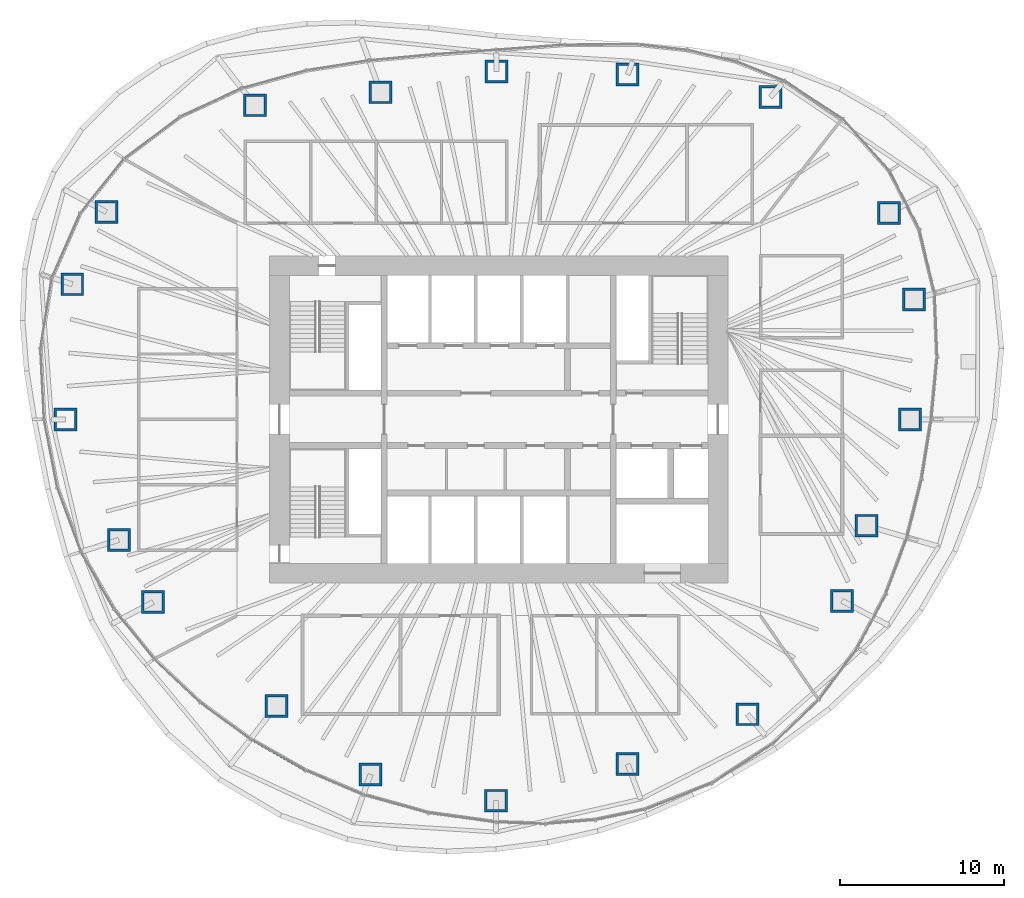
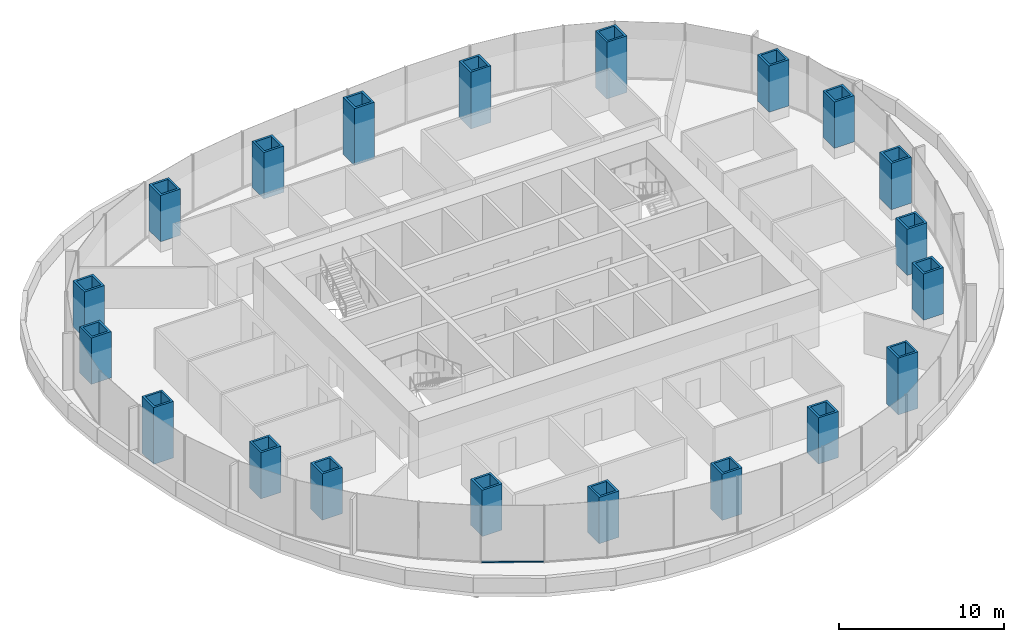
# One storey, part 1 of 12: 20 columns, 1 member, 1 element without a shape of its own.
"""IFC4 building model written with IfcOpenShell, lengths in metres."""

import ifcopenshell
import ifcopenshell.guid

model = None  # the IFC model being written
_history = None  # IfcOwnerHistory: only IFC2X3 demands one
_inside = {}  # id of a spatial element -> (the spatial element, [elements in it])
_under = {}  # id of a project, library or spatial element -> (it, [spatial elements below it])
_declared = {}  # id of a project -> (the project, [libraries it declares])
_typed = {}  # id of a type object -> (the type object, [elements of that type])
_made_of = {}  # id of a material, layer set ... -> (it, [elements and type objects made of it])


def new_model(schema):
    """Start an empty IFC model of exactly this schema.

    Asked for "IFC4X3", IfcOpenShell would pick the latest addendum, in which some entities
    have other attributes; the version numbers below select the first issue.
    IFC2X3 requires an IfcOwnerHistory on every rooted entity: one is made here for all.
    """
    global model, _history
    if schema == "IFC4X3":
        model = ifcopenshell.file(schema_version=(4, 3, 0, 0))
    else:
        model = ifcopenshell.file(schema=schema)
    _inside.clear()
    _under.clear()
    _declared.clear()
    _typed.clear()
    _made_of.clear()
    _history = None
    if model.schema == "IFC2X3":
        org = make("IfcOrganization", Name="unknown")
        user = make(
            "IfcPersonAndOrganization",
            ThePerson=make("IfcPerson", FamilyName="unknown"),
            TheOrganization=org,
        )
        app = make(
            "IfcApplication",
            ApplicationDeveloper=org,
            Version="unknown",
            ApplicationFullName="unknown",
            ApplicationIdentifier="unknown",
        )
        _history = make(
            "IfcOwnerHistory",
            OwningUser=user,
            OwningApplication=app,
            ChangeAction="ADDED",
            CreationDate=0,
        )
    return model


def make(cls, **values):
    """One entity of the class cls with the attributes given. An attribute that is None is left unset."""
    return model.create_entity(
        cls, **{name: value for name, value in values.items() if value is not None}
    )


def rooted(cls, **values):
    """An entity with a GlobalId (a new one), such as an element, a storey or a relation."""
    return make(cls, GlobalId=ifcopenshell.guid.new(), OwnerHistory=_history, **values)


def si_unit(unit_type, name, prefix=None):
    """IfcSIUnit, for example si_unit("LENGTHUNIT", "METRE", prefix="MILLI")."""
    return make("IfcSIUnit", UnitType=unit_type, Prefix=prefix, Name=name)


def assignment(units):
    """IfcUnitAssignment: the units of a project."""
    return None if units is None else make("IfcUnitAssignment", Units=units)


def point(xyz):
    """IfcCartesianPoint."""
    return None if xyz is None else make("IfcCartesianPoint", Coordinates=xyz)


def direction(xyz):
    """IfcDirection."""
    return None if xyz is None else make("IfcDirection", DirectionRatios=xyz)


def frame(location, z_axis=None, x_axis=None):
    """IfcAxis2Placement3D, a coordinate frame: its origin and axes. An axis left out is left unset."""
    return make(
        "IfcAxis2Placement3D",
        Location=point(location),
        Axis=direction(z_axis),
        RefDirection=direction(x_axis),
    )


def frame_2d(location, x_axis=None):
    """IfcAxis2Placement2D, a coordinate frame in the plane: its origin and x axis."""
    return make(
        "IfcAxis2Placement2D", Location=point(location), RefDirection=direction(x_axis)
    )


def origin():
    """The frame at (0, 0, 0) with its axes left unset."""
    return frame((0.0, 0.0, 0.0))


def origin_2d():
    """The frame at (0, 0) in the plane with its x axis left unset."""
    return frame_2d((0.0, 0.0))


def place(relative_to, where):
    """IfcLocalPlacement: puts the frame where relative to a parent placement (None: the world)."""
    return make(
        "IfcLocalPlacement", PlacementRelTo=relative_to, RelativePlacement=where
    )


def context(
    kind, dimensions, precision=None, world=None, true_north=None, identifier=None
):
    """IfcGeometricRepresentationContext, for example the 3D "Model" context."""
    return make(
        "IfcGeometricRepresentationContext",
        ContextIdentifier=identifier,
        ContextType=kind,
        CoordinateSpaceDimension=dimensions,
        Precision=precision,
        WorldCoordinateSystem=world,
        TrueNorth=true_north,
    )


def subcontext(parent, identifier, kind, view, scale=None):
    """IfcGeometricRepresentationSubContext, for example "Body" below "Model"."""
    return make(
        "IfcGeometricRepresentationSubContext",
        ContextIdentifier=identifier,
        ContextType=kind,
        ParentContext=parent,
        TargetScale=scale,
        TargetView=view,
    )


def project(units=None, contexts=None):
    """IfcProject with its units and contexts."""
    return rooted(
        "IfcProject",
        Name="project",
        RepresentationContexts=contexts,
        UnitsInContext=assignment(units),
    )


def spatial(cls, under=None, at=None, **own):
    """A site, building, storey or space (cls), placed at a placement, below another one or the project."""
    s = rooted(cls, ObjectPlacement=at, **own)
    if under is not None:
        _under.setdefault(under.id(), (under, []))[1].append(s)
    return s


def profile(cls, at=None, kind="AREA", **sizes):
    """A parametric profile (cls). Its sizes go by their IFC names, for example OverallWidth=200.0."""
    return make(cls, ProfileType=kind, Position=at, **sizes)


def rectangle(**sizes):
    """IfcRectangleProfileDef."""
    return profile("IfcRectangleProfileDef", **sizes)


def hollow_rectangle(**sizes):
    """IfcRectangleHollowProfileDef."""
    return profile("IfcRectangleHollowProfileDef", **sizes)


def extrude(swept, where, along, depth):
    """IfcExtrudedAreaSolid: the profile swept, set in the frame where, extruded along a direction by depth."""
    return make(
        "IfcExtrudedAreaSolid",
        SweptArea=swept,
        Position=where,
        ExtrudedDirection=direction(along),
        Depth=depth,
    )


def shape(context_of_items, identifier, shape_type, items):
    """IfcShapeRepresentation: the items that make up one representation, for example the "Body"."""
    return make(
        "IfcShapeRepresentation",
        ContextOfItems=context_of_items,
        RepresentationIdentifier=identifier,
        RepresentationType=shape_type,
        Items=items,
    )


def material(Name=None, Category=None):
    """IfcMaterial."""
    return make("IfcMaterial", Name=Name, Category=Category)


def material_profile(
    of_material, cross_section, Name=None, Category=None, Priority=None
):
    """IfcMaterialProfile: a cross section and its material."""
    return make(
        "IfcMaterialProfile",
        Name=Name,
        Material=of_material,
        Profile=cross_section,
        Priority=Priority,
        Category=Category,
    )


def profile_set(profiles, Name=None, composite=None):
    """IfcMaterialProfileSet."""
    return make(
        "IfcMaterialProfileSet",
        Name=Name,
        MaterialProfiles=profiles,
        CompositeProfile=composite,
    )


def made_of(thing, what):
    """Note that an element or type object is made of a material, layer set ...; save() writes the relation."""
    if what is not None:
        _made_of.setdefault(what.id(), (what, []))[1].append(thing)
    return thing


def type_object(cls, material=None, **own):
    """A type object (cls), such as IfcWallType, which elements share."""
    return made_of(rooted(cls, **own), material)


def element(
    cls,
    number,
    at=None,
    inside=None,
    cuts=None,
    type_object=None,
    material=None,
    context=None,
    identifier="Body",
    shape_type=None,
    held_by="IfcProductDefinitionShape",
    body=None,
    shapes=None,
    **own,
):
    """One element of the class cls, such as IfcWall. Its Tag is "e" and its number.

    at: its placement. inside: the storey or other place that contains it. cuts: it is an
    opening in that element (IfcRelVoidsElement). A single representation is given by context,
    identifier, shape_type and body (its items); several are given by shapes. held_by: the class
    of the entity that holds the representations. save() writes the other relations.
    """
    e = rooted(cls, Tag="e%d" % number, ObjectPlacement=at, **own)
    if body is not None:
        shapes = [shape(context, identifier, shape_type, body)]
    if shapes is not None:
        e.Representation = make(held_by, Representations=shapes)
    if inside is not None:
        _inside.setdefault(inside.id(), (inside, []))[1].append(e)
    if cuts is not None:
        rooted(
            "IfcRelVoidsElement", RelatingBuildingElement=cuts, RelatedOpeningElement=e
        )
    if type_object is not None:
        _typed.setdefault(type_object.id(), (type_object, []))[1].append(e)
    return made_of(e, material)


def aggregate(whole, parts):
    """IfcRelAggregates: a whole, such as a stair, and the parts it consists of."""
    return rooted("IfcRelAggregates", RelatingObject=whole, RelatedObjects=parts)


def save(model, path):
    """Write the relations noted so far, then the file.

    IfcRelAggregates (storeys below a building ...), IfcRelContainedInSpatialStructure (elements
    in a storey), IfcRelDefinesByType, IfcRelAssociatesMaterial and IfcRelDeclares: one each for
    every whole, place, type object, material and project.
    """
    for whole, parts in _under.values():
        aggregate(whole, parts)
    for where, things in _inside.values():
        rooted(
            "IfcRelContainedInSpatialStructure",
            RelatedElements=things,
            RelatingStructure=where,
        )
    for kind, things in _typed.values():
        rooted("IfcRelDefinesByType", RelatedObjects=things, RelatingType=kind)
    for what, things in _made_of.values():
        rooted("IfcRelAssociatesMaterial", RelatedObjects=things, RelatingMaterial=what)
    for by, libraries in _declared.values():
        rooted("IfcRelDeclares", RelatingContext=by, RelatedDefinitions=libraries)
    model.write(path)


model = new_model("IFC4")

# Units and contexts
model_context = context("Model", 3, precision=1e-05, world=origin(), true_north=direction((0.0, 1.0)))
body_context = subcontext(model_context, "Body", "Model", "MODEL_VIEW")
ifc_project = project(units=[si_unit("LENGTHUNIT", "METRE"), si_unit("AREAUNIT", "SQUARE_METRE"), si_unit("VOLUMEUNIT", "CUBIC_METRE"), si_unit("PLANEANGLEUNIT", "RADIAN"), si_unit("MASSUNIT", "GRAM", prefix="KILO")], contexts=[model_context])

# Site, building, storey
site_placement = place(None, origin())
site = spatial("IfcSite", under=ifc_project, at=site_placement, CompositionType="ELEMENT")
building_placement = place(site_placement, origin())
building = spatial("IfcBuilding", under=site, at=building_placement, Name="Ghaith Harvest Tower", CompositionType="ELEMENT")
storey_placement = place(building_placement, frame((0.0, 0.0, 194.800048828125)))
storey = spatial("IfcBuildingStorey", under=building, at=storey_placement, Name="L42", CompositionType="ELEMENT", Elevation=194.800048828125)

# Columns
ifc_material_1 = material(Name="Steel S460M", Category="steel")
ifc_material_profile_1 = material_profile(ifc_material_1, hollow_rectangle(XDim=1.39990234375, YDim=1.39990234375, WallThickness=0.14990234375, at=origin_2d()), Name="BOX1400X1400X150")
ifc_profile_set_1 = profile_set([ifc_material_profile_1], Name="Steel S460M")
column_type = type_object("IfcColumnType", Name="TS10 BOX1400X1400X150", PredefinedType="COLUMN", material=ifc_profile_set_1)
for number, where, z_axis, x_axis, name in (
    (1, (25.125, 0.0, 0.77490234375), (0.0, 0.0, 1.0), (1.0, 0.0, 0.0), "Perimeter column C01"),
    (2, (25.3779296875, 7.3349609375, 0.77490234375), (0.0, 0.0, 1.0), (1.0, 0.0, 0.0), "Perimeter column C02"),
    (3, (23.85205078125, 12.60693359375, 0.77490234375), (0.0, 0.0, 1.0), (1.0, 0.0, 0.0), "Perimeter column C03"),
):
    element("IfcColumn", number, at=place(storey_placement, frame(where, z_axis=z_axis, x_axis=x_axis)), inside=storey, type_object=column_type, Name=name, PredefinedType="COLUMN", context=body_context, shape_type="SweptSolid", body=[
        extrude(hollow_rectangle(XDim=1.39990234375, YDim=1.39990234375, WallThickness=0.14990234375, at=origin_2d()), origin(), (0.0, 0.0, 1.0), 3.425048828125),
    ])
for number, where, z_axis, x_axis, name in (
    (4, (16.60791015625, 19.695068359375, 0.0), (0.0, 0.0, 1.0), (1.0, 0.0, 0.0), "Perimeter column C04"),
    (5, (7.8779296875, 21.072021484375, 0.0), (0.0, 0.0, 1.0), (1.0, 0.0, 0.0), "Perimeter column C05"),
    (6, (-0.14599609375, 21.27099609375, 0.0), (0.0, 0.0, 1.0), (1.0, 0.0, 0.0), "Perimeter column C06"),
):
    element("IfcColumn", number, at=place(storey_placement, frame(where, z_axis=z_axis, x_axis=x_axis)), inside=storey, type_object=column_type, Name=name, PredefinedType="COLUMN", context=body_context, shape_type="SweptSolid", body=[
        extrude(hollow_rectangle(XDim=1.39990234375, YDim=1.39990234375, WallThickness=0.14990234375, at=origin_2d()), origin(), (0.0, 0.0, 1.0), 4.199951171875),
    ])
for number, where, z_axis, x_axis, name in (
    (7, (-7.221923828125, 19.9970703125, 0.77490234375), (0.0, 0.0, 1.0), (1.0, 0.0, 0.0), "Perimeter column C07"),
    (8, (-14.910888671875, 19.199951171875, 0.77490234375), (0.0, 0.0, 1.0), (1.0, 0.0, 0.0), "Perimeter column C08"),
    (9, (-23.986083984375, 12.677978515625, 0.77490234375), (0.0, 0.0, 1.0), (1.0, 0.0, 0.0), "Perimeter column C09"),
    (10, (-26.06689453125, 8.260986328125, 0.77490234375), (0.0, 0.0, 1.0), (1.0, 0.0, 0.0), "Perimeter column C10"),
):
    element("IfcColumn", number, at=place(storey_placement, frame(where, z_axis=z_axis, x_axis=x_axis)), inside=storey, type_object=column_type, Name=name, PredefinedType="COLUMN", context=body_context, shape_type="SweptSolid", body=[
        extrude(hollow_rectangle(XDim=1.39990234375, YDim=1.39990234375, WallThickness=0.14990234375, at=origin_2d()), origin(), (0.0, 0.0, 1.0), 3.425048828125),
    ])
column_1_placement = place(storey_placement, frame((-26.47509765625, 0.0, 0.0), z_axis=(0.0, 0.0, 1.0), x_axis=(1.0, 0.0, 0.0)))
element("IfcColumn", 11, at=column_1_placement, inside=storey, type_object=column_type, Name="Perimeter column C11", PredefinedType="COLUMN", context=body_context, shape_type="SweptSolid", body=[
    extrude(hollow_rectangle(XDim=1.39990234375, YDim=1.39990234375, WallThickness=0.14990234375, at=origin_2d()), origin(), (0.0, 0.0, 1.0), 4.199951171875),
])
for number, where, z_axis, x_axis, name in (
    (12, (-23.22412109375, -7.360107421875, 0.77490234375), (0.0, 0.0, 1.0), (1.0, 0.0, 0.0), "Perimeter column C12"),
    (13, (-21.125, -11.166015625, 0.77490234375), (0.0, 0.0, 1.0), (1.0, 0.0, 0.0), "Perimeter column C13"),
    (14, (-13.594970703125, -17.5048828125, 0.77490234375), (0.0, 0.0, 1.0), (1.0, 0.0, 0.0), "Perimeter column C14"),
    (15, (-7.837890625, -21.699951171875, 0.77490234375), (0.0, 0.0, 1.0), (1.0, 0.0, 0.0), "Perimeter column C15"),
    (16, (-0.158935546875, -23.304931640625, 0.77490234375), (0.0, 0.0, 1.0), (1.0, 0.0, 0.0), "Perimeter column C16"),
    (17, (7.8779296875, -21.072021484375, 0.77490234375), (0.0, 0.0, 1.0), (1.0, 0.0, 0.0), "Perimeter column C17"),
):
    element("IfcColumn", number, at=place(storey_placement, frame(where, z_axis=z_axis, x_axis=x_axis)), inside=storey, type_object=column_type, Name=name, PredefinedType="COLUMN", context=body_context, shape_type="SweptSolid", body=[
        extrude(hollow_rectangle(XDim=1.39990234375, YDim=1.39990234375, WallThickness=0.14990234375, at=origin_2d()), origin(), (0.0, 0.0, 1.0), 3.425048828125),
    ])
column_2_placement = place(storey_placement, frame((15.197998046875, -18.02294921875, 0.0), z_axis=(0.0, 0.0, 1.0), x_axis=(1.0, 0.0, 0.0)))
element("IfcColumn", 18, at=column_2_placement, inside=storey, type_object=column_type, Name="Perimeter column C18", PredefinedType="COLUMN", context=body_context, shape_type="SweptSolid", body=[
    extrude(hollow_rectangle(XDim=1.39990234375, YDim=1.39990234375, WallThickness=0.14990234375, at=origin_2d()), origin(), (0.0, 0.0, 1.0), 4.199951171875),
])
for number, where, z_axis, x_axis, name in (
    (19, (20.97705078125, -11.087890625, 0.77490234375), (0.0, 0.0, 1.0), (1.0, 0.0, 0.0), "Perimeter column C19"),
    (20, (22.485107421875, -6.4990234375, 0.77490234375), (0.0, 0.0, 1.0), (1.0, 0.0, 0.0), "Perimeter column C20"),
):
    element("IfcColumn", number, at=place(storey_placement, frame(where, z_axis=z_axis, x_axis=x_axis)), inside=storey, type_object=column_type, Name=name, PredefinedType="COLUMN", context=body_context, shape_type="SweptSolid", body=[
        extrude(hollow_rectangle(XDim=1.39990234375, YDim=1.39990234375, WallThickness=0.14990234375, at=origin_2d()), origin(), (0.0, 0.0, 1.0), 3.425048828125),
    ])

# Curtain wall, member
ifc_material_2 = material(Name="Black anodised aluminium and fritted glass", Category="aluminium")
curtain_wall_type = type_object("IfcCurtainWallType", Name="CW-H CURTAIN WALL", PredefinedType="NOTDEFINED", material=ifc_material_2)
curtain_wall_placement = place(storey_placement, origin())
curtain_wall = element("IfcCurtainWall", 21, at=curtain_wall_placement, inside=storey, type_object=curtain_wall_type, Name="Curtain wall CW-H bay 14 L42", PredefinedType="NOTDEFINED")
ifc_material_3 = material(Name="Aluminium, black anodised", Category="aluminium")
ifc_material_profile_2 = material_profile(ifc_material_3, rectangle(XDim=0.1298828125, YDim=0.080078125, at=origin_2d()), Name="CW-H TRANSOM 130x80")
ifc_profile_set_2 = profile_set([ifc_material_profile_2], Name="Aluminium, black anodised")
member_type = type_object("IfcMemberType", Name="CW-H TRANSOM 130x80", PredefinedType="USERDEFINED", material=ifc_profile_set_2)
member_placement = place(storey_placement, frame((-15.142822265625, -19.5625, 0.0400390625), z_axis=(0.869735291487, -0.493518513068, 0.0), x_axis=(0.493518513068, 0.869735291487, 0.0)))
member = element("IfcMember", 22, at=member_placement, type_object=member_type, Name="CW-H transom 1 bay 14 L42", ObjectType="TRANSOM", PredefinedType="USERDEFINED", context=body_context, shape_type="SweptSolid", body=[
    extrude(rectangle(XDim=0.1298828125, YDim=0.080078125, at=origin_2d()), origin(), (0.0, 0.0, 1.0), 3.785888671875),
])
aggregate(curtain_wall, [member])

save(model, "model.ifc")
